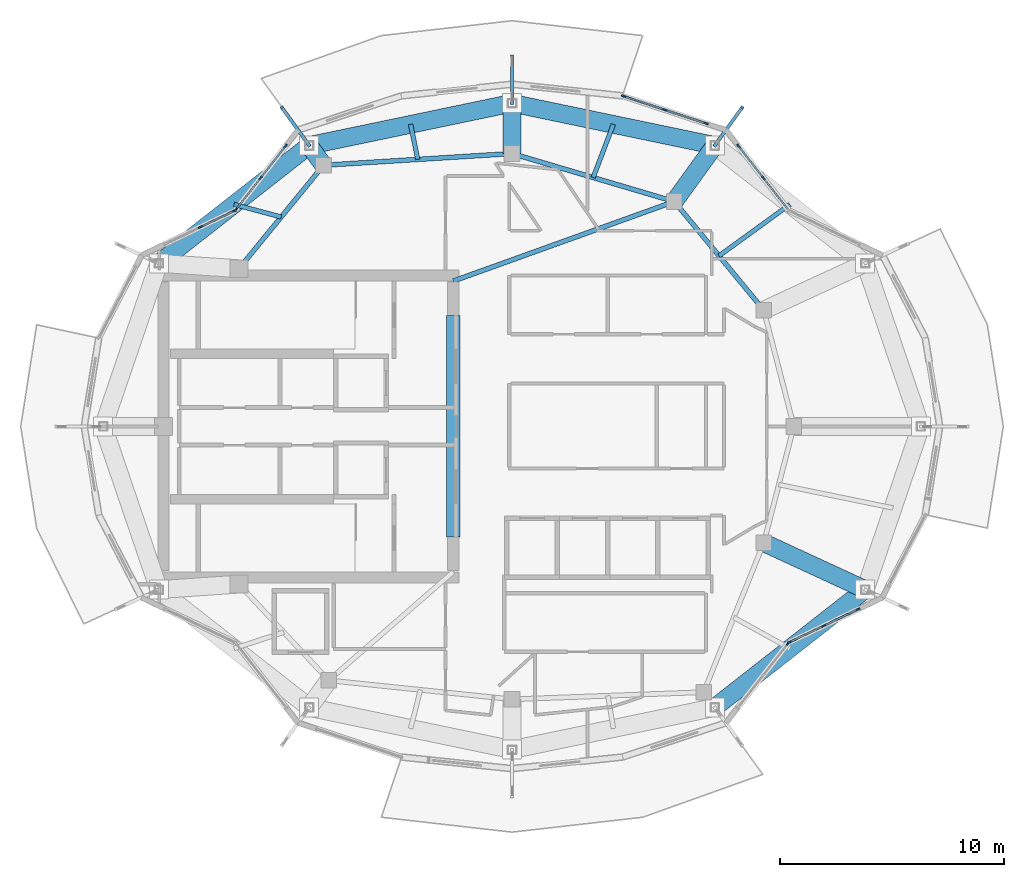
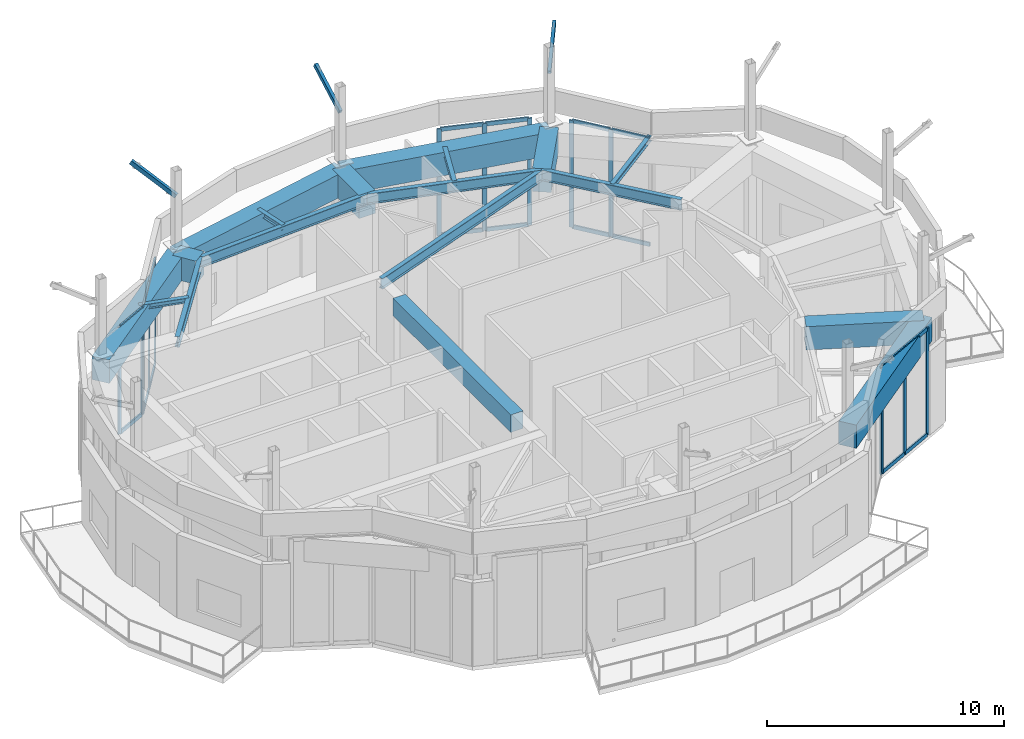
# One storey, part 3 of 13: 35 members, 18 beams, 6 elements without a shape of their own.
"""IFC4 building model written with IfcOpenShell, lengths in metres."""

from ifc_helpers import new_model, si_unit, direction, frame, origin, origin_2d, place, context, subcontext, project, spatial, rectangle, hollow_rectangle, i_section, extrude, material, layer, layer_set, material_profile, profile_set, type_object, element, aggregate, save


model = new_model("IFC4")

# Units and contexts
model_context = context("Model", 3, precision=1e-05, world=origin(), true_north=direction((0.0, 1.0)))
body_context = subcontext(model_context, "Body", "Model", "MODEL_VIEW")
ifc_project = project(units=[si_unit("LENGTHUNIT", "METRE"), si_unit("AREAUNIT", "SQUARE_METRE"), si_unit("VOLUMEUNIT", "CUBIC_METRE"), si_unit("PLANEANGLEUNIT", "RADIAN"), si_unit("MASSUNIT", "GRAM", prefix="KILO")], contexts=[model_context])

# Site, building, storey
site_placement = place(None, origin())
site = spatial("IfcSite", under=ifc_project, at=site_placement, CompositionType="ELEMENT")
building_placement = place(site_placement, origin())
building = spatial("IfcBuilding", under=site, at=building_placement, Name="Kolvaren Gate Tower and Convention Centre", CompositionType="ELEMENT")
storey_placement = place(building_placement, frame((0.0, 0.0, 281.60009765625)))
storey = spatial("IfcBuildingStorey", under=building, at=storey_placement, Name="L76", CompositionType="ELEMENT", Elevation=281.60009765625)

# Members
ifc_material_1 = material(Name="Architectural Painted Steel Canopy Framing ASTM A500 Grade C 345 MPa", Category="steel")
ifc_material_profile_1 = material_profile(ifc_material_1, hollow_rectangle(XDim=0.14990234375, YDim=0.219970703125, WallThickness=0.008056640625, at=origin_2d()), Name="ARCH-MEM-CANOPY-220")
ifc_profile_set_1 = profile_set([ifc_material_profile_1], Name="Architectural Painted Steel Canopy Framing ASTM A500 Grade C 345 MPa")
member_type_1 = type_object("IfcMemberType", Name="ARCH-MEM-CANOPY-220", PredefinedType="BRACE", material=ifc_profile_set_1)
for number, where, z_axis, x_axis, name in (
    (1, (39.190185546875, 39.560791015625, 8.2998046875), (0.511939530407, 0.709574838888, 0.484170904975), (-0.810967281895, 0.585091503695, 0.0), "Crown Lookout Canopy Outrigger Strut CN-03"),
    (2, (30.125, 41.449951171875, 8.2998046875), (0.0, 0.874971700299, 0.484174063407), (-1.0, 0.0, 0.0), "Crown Lookout Canopy Outrigger Strut CN-04"),
    (3, (21.059814453125, 39.560791015625, 8.2998046875), (-0.511939530407, 0.709574838888, 0.484170904975), (-0.810967281895, -0.585091503695, 0.0), "Crown Lookout Canopy Outrigger Strut CN-05"),
):
    element("IfcMember", number, at=place(storey_placement, frame(where, z_axis=z_axis, x_axis=x_axis)), inside=storey, type_object=member_type_1, Name=name, PredefinedType="BRACE", context=body_context, shape_type="SweptSolid", body=[
        extrude(hollow_rectangle(XDim=0.14990234375, YDim=0.219970703125, WallThickness=0.008056640625, at=origin_2d()), origin(), (0.0, 0.0, 1.0), 2.400146484375),
    ])

# Curtain wall, members
ifc_material_2 = material(Name="Anodized Architectural Aluminium Alloy 6063-T6", Category="aluminium")
ifc_layer = layer(ifc_material_2, 0.199951171875)
ifc_layer_set = layer_set([ifc_layer], Name="Anodized Architectural Aluminium Alloy 6063-T6")
curtain_wall_type = type_object("IfcCurtainWallType", Name="CW-SKY-GLZ", PredefinedType="NOTDEFINED", material=ifc_layer_set)
curtain_wall_1_placement = place(storey_placement, origin())
curtain_wall_1 = element("IfcCurtainWall", 4, at=curtain_wall_1_placement, inside=storey, type_object=curtain_wall_type, Name="L76 Panoramic Structural Curtain Wall CW-03", PredefinedType="NOTDEFINED")
ifc_material_profile_2 = material_profile(ifc_material_2, rectangle(XDim=0.074951171875, YDim=0.199951171875, at=origin_2d()), Name="CW-MEM-MUL-200")
ifc_profile_set_2 = profile_set([ifc_material_profile_2], Name="Anodized Architectural Aluminium Alloy 6063-T6")
member_type_2 = type_object("IfcMemberType", Name="CW-MEM-MUL-200", PredefinedType="MULLION", material=ifc_profile_set_2)
member_1_placement = place(storey_placement, frame((40.250732421875, 39.53076171875, 0.0), z_axis=(0.0, 0.0, 1.0), x_axis=(0.787412607866, 0.616426301332, 0.0)))
member_1 = element("IfcMember", 5, at=member_1_placement, type_object=member_type_2, Name="CW-05 mullion 1", PredefinedType="MULLION", context=body_context, shape_type="SweptSolid", body=[
    extrude(rectangle(XDim=0.074951171875, YDim=0.199951171875, at=origin_2d()), origin(), (0.0, 0.0, 1.0), 5.5),
])
member_2_placement = place(storey_placement, frame((41.36083984375, 38.112548828125, 0.0), z_axis=(0.0, 0.0, 1.0), x_axis=(0.787412607866, 0.616426301332, 0.0)))
member_2 = element("IfcMember", 6, at=member_2_placement, type_object=member_type_2, Name="CW-05 mullion 2", PredefinedType="MULLION", context=body_context, shape_type="SweptSolid", body=[
    extrude(rectangle(XDim=0.074951171875, YDim=0.199951171875, at=origin_2d()), origin(), (0.0, 0.0, 1.0), 5.5),
])

curtain_wall_2_placement = place(storey_placement, origin())
curtain_wall_2 = element("IfcCurtainWall", 7, at=curtain_wall_2_placement, inside=storey, type_object=curtain_wall_type, Name="L76 Panoramic Structural Curtain Wall CW-04", PredefinedType="NOTDEFINED")
member_3_placement = place(storey_placement, frame((35.110595703125, 41.766845703125, 0.0), z_axis=(0.0, 0.0, 1.0), x_axis=(0.314554728367, 0.949239339082, 0.0)))
member_3 = element("IfcMember", 8, at=member_3_placement, type_object=member_type_2, Name="CW-05 mullion 1", PredefinedType="MULLION", context=body_context, shape_type="SweptSolid", body=[
    extrude(rectangle(XDim=0.074951171875, YDim=0.199951171875, at=origin_2d()), origin(), (0.0, 0.0, 1.0), 5.5),
])
member_4_placement = place(storey_placement, frame((36.956298828125, 41.1552734375, 0.0), z_axis=(0.0, 0.0, 1.0), x_axis=(0.314554728367, 0.949239339082, 0.0)))
member_4 = element("IfcMember", 9, at=member_4_placement, type_object=member_type_2, Name="CW-05 mullion 2", PredefinedType="MULLION", context=body_context, shape_type="SweptSolid", body=[
    extrude(rectangle(XDim=0.074951171875, YDim=0.199951171875, at=origin_2d()), origin(), (0.0, 0.0, 1.0), 5.5),
])
member_5_placement = place(storey_placement, frame((38.802001953125, 40.543701171875, 0.0), z_axis=(0.0, 0.0, 1.0), x_axis=(0.314554728367, 0.949239339082, 0.0)))
member_5 = element("IfcMember", 10, at=member_5_placement, type_object=member_type_2, Name="CW-05 mullion 3", PredefinedType="MULLION", context=body_context, shape_type="SweptSolid", body=[
    extrude(rectangle(XDim=0.074951171875, YDim=0.199951171875, at=origin_2d()), origin(), (0.0, 0.0, 1.0), 5.5),
])

curtain_wall_3_placement = place(storey_placement, origin())
curtain_wall_3 = element("IfcCurtainWall", 11, at=curtain_wall_3_placement, inside=storey, type_object=curtain_wall_type, Name="L76 Panoramic Structural Curtain Wall CW-08", PredefinedType="NOTDEFINED")
member_6_placement = place(storey_placement, frame((17.77880859375, 36.6943359375, 0.0), z_axis=(0.0, 0.0, 1.0), x_axis=(-0.787410873286, 0.616428517049, 0.0)))
member_6 = element("IfcMember", 12, at=member_6_placement, type_object=member_type_2, Name="CW-05 mullion 1", PredefinedType="MULLION", context=body_context, shape_type="SweptSolid", body=[
    extrude(rectangle(XDim=0.074951171875, YDim=0.199951171875, at=origin_2d()), origin(), (0.0, 0.0, 1.0), 5.5),
])
member_7_placement = place(storey_placement, frame((18.888916015625, 38.1123046875, 0.0), z_axis=(0.0, 0.0, 1.0), x_axis=(-0.787410873286, 0.616428517049, 0.0)))
member_7 = element("IfcMember", 13, at=member_7_placement, type_object=member_type_2, Name="CW-05 mullion 2", PredefinedType="MULLION", context=body_context, shape_type="SweptSolid", body=[
    extrude(rectangle(XDim=0.074951171875, YDim=0.199951171875, at=origin_2d()), origin(), (0.0, 0.0, 1.0), 5.5),
])
member_8_placement = place(storey_placement, frame((19.9990234375, 39.530517578125, 0.0), z_axis=(0.0, 0.0, 1.0), x_axis=(-0.787410873286, 0.616428517049, 0.0)))
member_8 = element("IfcMember", 14, at=member_8_placement, type_object=member_type_2, Name="CW-05 mullion 3", PredefinedType="MULLION", context=body_context, shape_type="SweptSolid", body=[
    extrude(rectangle(XDim=0.074951171875, YDim=0.199951171875, at=origin_2d()), origin(), (0.0, 0.0, 1.0), 5.5),
])

curtain_wall_4_placement = place(storey_placement, origin())
curtain_wall_4 = element("IfcCurtainWall", 15, at=curtain_wall_4_placement, inside=storey, type_object=curtain_wall_type, Name="L76 Panoramic Structural Curtain Wall CW-09", PredefinedType="NOTDEFINED")
member_9_placement = place(storey_placement, frame((16.191162109375, 35.9130859375, 0.0), z_axis=(0.0, 0.0, 1.0), x_axis=(-0.433053218498, 0.901368354197, 0.0)))
member_9 = element("IfcMember", 16, at=member_9_placement, type_object=member_type_2, Name="CW-05 mullion 2", PredefinedType="MULLION", context=body_context, shape_type="SweptSolid", body=[
    extrude(rectangle(XDim=0.074951171875, YDim=0.199951171875, at=origin_2d()), origin(), (0.0, 0.0, 1.0), 5.5),
])
member_10_placement = place(storey_placement, frame((17.7216796875, 36.6484375, 0.0), z_axis=(0.0, 0.0, 1.0), x_axis=(-0.433053218498, 0.901368354197, 0.0)))
member_10 = element("IfcMember", 17, at=member_10_placement, type_object=member_type_2, Name="CW-05 mullion 3", PredefinedType="MULLION", context=body_context, shape_type="SweptSolid", body=[
    extrude(rectangle(XDim=0.074951171875, YDim=0.199951171875, at=origin_2d()), origin(), (0.0, 0.0, 1.0), 5.5),
])

# Curtain wall, member
curtain_wall_5_placement = place(storey_placement, origin())
curtain_wall_5 = element("IfcCurtainWall", 18, at=curtain_wall_5_placement, inside=storey, type_object=curtain_wall_type, Name="L76 Panoramic Structural Curtain Wall CW-20", PredefinedType="NOTDEFINED")
member_11_placement = place(storey_placement, frame((42.47119140625, 17.3056640625, 0.0), z_axis=(0.0, 0.0, 1.0), x_axis=(-0.787412607866, 0.616426301332, 0.0)))
member_11 = element("IfcMember", 19, at=member_11_placement, type_object=member_type_2, Name="CW-05 mullion 3", PredefinedType="MULLION", context=body_context, shape_type="SweptSolid", body=[
    extrude(rectangle(XDim=0.074951171875, YDim=0.199951171875, at=origin_2d()), origin(), (0.0, 0.0, 1.0), 5.5),
])
aggregate(curtain_wall_5, [member_11])

# Curtain wall, members
curtain_wall_6_placement = place(storey_placement, origin())
curtain_wall_6 = element("IfcCurtainWall", 20, at=curtain_wall_6_placement, inside=storey, type_object=curtain_wall_type, Name="L76 Panoramic Structural Curtain Wall CW-21", PredefinedType="NOTDEFINED")
member_12_placement = place(storey_placement, frame((42.5283203125, 17.3515625, 0.0), z_axis=(0.0, 0.0, 1.0), x_axis=(-0.433075709979, 0.90135754805, 0.0)))
member_12 = element("IfcMember", 21, at=member_12_placement, type_object=member_type_2, Name="CW-05 mullion 1", PredefinedType="MULLION", context=body_context, shape_type="SweptSolid", body=[
    extrude(rectangle(XDim=0.074951171875, YDim=0.199951171875, at=origin_2d()), origin(), (0.0, 0.0, 1.0), 5.5),
])
member_13_placement = place(storey_placement, frame((44.05859375, 18.0869140625, 0.0), z_axis=(0.0, 0.0, 1.0), x_axis=(-0.433075709979, 0.90135754805, 0.0)))
member_13 = element("IfcMember", 22, at=member_13_placement, type_object=member_type_2, Name="CW-05 mullion 2", PredefinedType="MULLION", context=body_context, shape_type="SweptSolid", body=[
    extrude(rectangle(XDim=0.074951171875, YDim=0.199951171875, at=origin_2d()), origin(), (0.0, 0.0, 1.0), 5.5),
])
member_14_placement = place(storey_placement, frame((45.589111328125, 18.822265625, 0.0), z_axis=(0.0, 0.0, 1.0), x_axis=(-0.433075709979, 0.90135754805, 0.0)))
member_14 = element("IfcMember", 23, at=member_14_placement, type_object=member_type_2, Name="CW-05 mullion 3", PredefinedType="MULLION", context=body_context, shape_type="SweptSolid", body=[
    extrude(rectangle(XDim=0.074951171875, YDim=0.199951171875, at=origin_2d()), origin(), (0.0, 0.0, 1.0), 5.5),
])

# Member
ifc_material_profile_3 = material_profile(ifc_material_2, rectangle(XDim=0.074951171875, YDim=0.199951171875, at=origin_2d()), Name="CW-MEM-TRN-200")
ifc_profile_set_3 = profile_set([ifc_material_profile_3], Name="Anodized Architectural Aluminium Alloy 6063-T6")
member_type_3 = type_object("IfcMemberType", Name="CW-MEM-TRN-200", PredefinedType="USERDEFINED", material=ifc_profile_set_3)
member_15_placement = place(storey_placement, frame((40.273681640625, 39.50146484375, 0.037353515625), z_axis=(0.616434086202, -0.787406513415, 0.0), x_axis=(0.787406513415, 0.616434086202, 0.0)))
member_15 = element("IfcMember", 24, at=member_15_placement, type_object=member_type_3, Name="CW-05 transom 1.1", ObjectType="TRANSOM", PredefinedType="USERDEFINED", context=body_context, shape_type="SweptSolid", body=[
    extrude(rectangle(XDim=0.074951171875, YDim=0.199951171875, at=origin_2d()), origin(), (0.0, 0.0, 1.0), 1.726318359375),
])

member_16_placement = place(storey_placement, frame((40.273681640625, 39.50146484375, 5.46240234375), z_axis=(0.616434086202, -0.787406513415, 0.0), x_axis=(0.787406513415, 0.616434086202, 0.0)))
member_16 = element("IfcMember", 25, at=member_16_placement, type_object=member_type_3, Name="CW-05 transom 1.2", ObjectType="TRANSOM", PredefinedType="USERDEFINED", context=body_context, shape_type="SweptSolid", body=[
    extrude(rectangle(XDim=0.074951171875, YDim=0.199951171875, at=origin_2d()), origin(), (0.0, 0.0, 1.0), 1.726318359375),
])

member_17_placement = place(storey_placement, frame((41.384033203125, 38.0830078125, 0.037353515625), z_axis=(0.616502732792, -0.787352767481, 0.0), x_axis=(0.787352767481, 0.616502732792, 0.0)))
member_17 = element("IfcMember", 26, at=member_17_placement, type_object=member_type_3, Name="CW-05 transom 2.1", ObjectType="TRANSOM", PredefinedType="USERDEFINED", context=body_context, shape_type="SweptSolid", body=[
    extrude(rectangle(XDim=0.074951171875, YDim=0.199951171875, at=origin_2d()), origin(), (0.0, 0.0, 1.0), 1.726318359375),
])

member_18_placement = place(storey_placement, frame((41.384033203125, 38.0830078125, 5.46240234375), z_axis=(0.616502732792, -0.787352767481, 0.0), x_axis=(0.787352767481, 0.616502732792, 0.0)))
member_18 = element("IfcMember", 27, at=member_18_placement, type_object=member_type_3, Name="CW-05 transom 2.2", ObjectType="TRANSOM", PredefinedType="USERDEFINED", context=body_context, shape_type="SweptSolid", body=[
    extrude(rectangle(XDim=0.074951171875, YDim=0.199951171875, at=origin_2d()), origin(), (0.0, 0.0, 1.0), 1.726318359375),
])

aggregate(curtain_wall_1, [member_1, member_2, member_15, member_16, member_17, member_18])

member_19_placement = place(storey_placement, frame((35.14599609375, 41.755126953125, 0.037353515625), z_axis=(0.949230332785, -0.314581905583, 0.0), x_axis=(0.314581905583, 0.949230332785, 0.0)))
member_19 = element("IfcMember", 28, at=member_19_placement, type_object=member_type_3, Name="CW-05 transom 1.1", ObjectType="TRANSOM", PredefinedType="USERDEFINED", context=body_context, shape_type="SweptSolid", body=[
    extrude(rectangle(XDim=0.074951171875, YDim=0.199951171875, at=origin_2d()), origin(), (0.0, 0.0, 1.0), 1.86962890625),
])

member_20_placement = place(storey_placement, frame((35.14599609375, 41.755126953125, 5.46240234375), z_axis=(0.949230332785, -0.314581905583, 0.0), x_axis=(0.314581905583, 0.949230332785, 0.0)))
member_20 = element("IfcMember", 29, at=member_20_placement, type_object=member_type_3, Name="CW-05 transom 1.2", ObjectType="TRANSOM", PredefinedType="USERDEFINED", context=body_context, shape_type="SweptSolid", body=[
    extrude(rectangle(XDim=0.074951171875, YDim=0.199951171875, at=origin_2d()), origin(), (0.0, 0.0, 1.0), 1.86962890625),
])

member_21_placement = place(storey_placement, frame((36.991943359375, 41.1435546875, 0.037353515625), z_axis=(0.949230332785, -0.314581905583, 0.0), x_axis=(0.314581905583, 0.949230332785, 0.0)))
member_21 = element("IfcMember", 30, at=member_21_placement, type_object=member_type_3, Name="CW-05 transom 2.1", ObjectType="TRANSOM", PredefinedType="USERDEFINED", context=body_context, shape_type="SweptSolid", body=[
    extrude(rectangle(XDim=0.074951171875, YDim=0.199951171875, at=origin_2d()), origin(), (0.0, 0.0, 1.0), 1.86962890625),
])

member_22_placement = place(storey_placement, frame((36.991943359375, 41.1435546875, 5.46240234375), z_axis=(0.949230332785, -0.314581905583, 0.0), x_axis=(0.314581905583, 0.949230332785, 0.0)))
member_22 = element("IfcMember", 31, at=member_22_placement, type_object=member_type_3, Name="CW-05 transom 2.2", ObjectType="TRANSOM", PredefinedType="USERDEFINED", context=body_context, shape_type="SweptSolid", body=[
    extrude(rectangle(XDim=0.074951171875, YDim=0.199951171875, at=origin_2d()), origin(), (0.0, 0.0, 1.0), 1.86962890625),
])

aggregate(curtain_wall_2, [member_3, member_4, member_5, member_19, member_20, member_21, member_22])

member_23_placement = place(storey_placement, frame((17.8017578125, 36.723876953125, 0.037353515625), z_axis=(0.616483703487, 0.787367667189, 0.0), x_axis=(-0.787367667189, 0.616483703487, 0.0)))
member_23 = element("IfcMember", 32, at=member_23_placement, type_object=member_type_3, Name="CW-05 transom 1.1", ObjectType="TRANSOM", PredefinedType="USERDEFINED", context=body_context, shape_type="SweptSolid", body=[
    extrude(rectangle(XDim=0.074951171875, YDim=0.199951171875, at=origin_2d()), origin(), (0.0, 0.0, 1.0), 1.725830078125),
])

member_24_placement = place(storey_placement, frame((17.8017578125, 36.723876953125, 5.46240234375), z_axis=(0.616483703487, 0.787367667189, 0.0), x_axis=(-0.787367667189, 0.616483703487, 0.0)))
member_24 = element("IfcMember", 33, at=member_24_placement, type_object=member_type_3, Name="CW-05 transom 1.2", ObjectType="TRANSOM", PredefinedType="USERDEFINED", context=body_context, shape_type="SweptSolid", body=[
    extrude(rectangle(XDim=0.074951171875, YDim=0.199951171875, at=origin_2d()), origin(), (0.0, 0.0, 1.0), 1.725830078125),
])

member_25_placement = place(storey_placement, frame((18.912109375, 38.141845703125, 0.037353515625), z_axis=(0.616415044087, 0.787421420475, 0.0), x_axis=(-0.787421420475, 0.616415044087, 0.0)))
member_25 = element("IfcMember", 34, at=member_25_placement, type_object=member_type_3, Name="CW-05 transom 2.1", ObjectType="TRANSOM", PredefinedType="USERDEFINED", context=body_context, shape_type="SweptSolid", body=[
    extrude(rectangle(XDim=0.074951171875, YDim=0.199951171875, at=origin_2d()), origin(), (0.0, 0.0, 1.0), 1.72607421875),
])

member_26_placement = place(storey_placement, frame((18.912109375, 38.141845703125, 5.46240234375), z_axis=(0.616415044087, 0.787421420475, 0.0), x_axis=(-0.787421420475, 0.616415044087, 0.0)))
member_26 = element("IfcMember", 35, at=member_26_placement, type_object=member_type_3, Name="CW-05 transom 2.2", ObjectType="TRANSOM", PredefinedType="USERDEFINED", context=body_context, shape_type="SweptSolid", body=[
    extrude(rectangle(XDim=0.074951171875, YDim=0.199951171875, at=origin_2d()), origin(), (0.0, 0.0, 1.0), 1.72607421875),
])

aggregate(curtain_wall_3, [member_6, member_7, member_8, member_23, member_24, member_25, member_26])

member_27_placement = place(storey_placement, frame((16.22509765625, 35.929443359375, 0.037353515625), z_axis=(0.901356328078, 0.433078249088, 0.0), x_axis=(-0.433078249088, 0.901356328078, 0.0)))
member_27 = element("IfcMember", 36, at=member_27_placement, type_object=member_type_3, Name="CW-05 transom 2.1", ObjectType="TRANSOM", PredefinedType="USERDEFINED", context=body_context, shape_type="SweptSolid", body=[
    extrude(rectangle(XDim=0.074951171875, YDim=0.199951171875, at=origin_2d()), origin(), (0.0, 0.0, 1.0), 1.623046875),
])

member_28_placement = place(storey_placement, frame((16.22509765625, 35.929443359375, 5.46240234375), z_axis=(0.901356328078, 0.433078249088, 0.0), x_axis=(-0.433078249088, 0.901356328078, 0.0)))
member_28 = element("IfcMember", 37, at=member_28_placement, type_object=member_type_3, Name="CW-05 transom 2.2", ObjectType="TRANSOM", PredefinedType="USERDEFINED", context=body_context, shape_type="SweptSolid", body=[
    extrude(rectangle(XDim=0.074951171875, YDim=0.199951171875, at=origin_2d()), origin(), (0.0, 0.0, 1.0), 1.623046875),
])

aggregate(curtain_wall_4, [member_9, member_10, member_27, member_28])

member_29_placement = place(storey_placement, frame((42.56201171875, 17.36767578125, 0.037353515625), z_axis=(0.901356328078, 0.433078249088, 0.0), x_axis=(-0.433078249088, 0.901356328078, 0.0)))
member_29 = element("IfcMember", 38, at=member_29_placement, type_object=member_type_3, Name="CW-05 transom 1.1", ObjectType="TRANSOM", PredefinedType="USERDEFINED", context=body_context, shape_type="SweptSolid", body=[
    extrude(rectangle(XDim=0.074951171875, YDim=0.199951171875, at=origin_2d()), origin(), (0.0, 0.0, 1.0), 1.623046875),
])

member_30_placement = place(storey_placement, frame((42.56201171875, 17.36767578125, 5.46240234375), z_axis=(0.901356328078, 0.433078249088, 0.0), x_axis=(-0.433078249088, 0.901356328078, 0.0)))
member_30 = element("IfcMember", 39, at=member_30_placement, type_object=member_type_3, Name="CW-05 transom 1.2", ObjectType="TRANSOM", PredefinedType="USERDEFINED", context=body_context, shape_type="SweptSolid", body=[
    extrude(rectangle(XDim=0.074951171875, YDim=0.199951171875, at=origin_2d()), origin(), (0.0, 0.0, 1.0), 1.623046875),
])

member_31_placement = place(storey_placement, frame((44.092529296875, 18.10302734375, 0.037353515625), z_axis=(0.901356328078, 0.433078249088, 0.0), x_axis=(-0.433078249088, 0.901356328078, 0.0)))
member_31 = element("IfcMember", 40, at=member_31_placement, type_object=member_type_3, Name="CW-05 transom 2.1", ObjectType="TRANSOM", PredefinedType="USERDEFINED", context=body_context, shape_type="SweptSolid", body=[
    extrude(rectangle(XDim=0.074951171875, YDim=0.199951171875, at=origin_2d()), origin(), (0.0, 0.0, 1.0), 1.623046875),
])

member_32_placement = place(storey_placement, frame((44.092529296875, 18.10302734375, 5.46240234375), z_axis=(0.901356328078, 0.433078249088, 0.0), x_axis=(-0.433078249088, 0.901356328078, 0.0)))
member_32 = element("IfcMember", 41, at=member_32_placement, type_object=member_type_3, Name="CW-05 transom 2.2", ObjectType="TRANSOM", PredefinedType="USERDEFINED", context=body_context, shape_type="SweptSolid", body=[
    extrude(rectangle(XDim=0.074951171875, YDim=0.199951171875, at=origin_2d()), origin(), (0.0, 0.0, 1.0), 1.623046875),
])

aggregate(curtain_wall_6, [member_12, member_13, member_14, member_29, member_30, member_31, member_32])

# Beams
ifc_material_3 = material(Name="Structural steel ASTM A992 Grade 345 MPa", Category="steel")
ifc_material_profile_4 = material_profile(ifc_material_3, i_section(OverallWidth=0.2119140625, OverallDepth=0.5439453125, WebThickness=0.01318359375, FlangeThickness=0.021240234375, at=origin_2d()), Name="W530X123")
ifc_profile_set_4 = profile_set([ifc_material_profile_4], Name="Structural steel ASTM A992 Grade 345 MPa")
beam_type_1 = type_object("IfcBeamType", Name="STR-BM-W530X123", PredefinedType="BEAM", material=ifc_profile_set_4)
beam_1_placement = place(storey_placement, frame((41.382080078125, 32.199462890625, 5.227783203125), z_axis=(-0.635884066011, 0.771784590798, 0.0), x_axis=(-0.771784590798, -0.635884066011, 0.0)))
element("IfcBeam", 42, at=beam_1_placement, inside=storey, type_object=beam_type_1, Name="Tower L76 Primary Ring Girder G-02", PredefinedType="BEAM", context=body_context, shape_type="SweptSolid", body=[
    extrude(i_section(OverallWidth=0.2119140625, OverallDepth=0.5439453125, WebThickness=0.01318359375, FlangeThickness=0.021240234375, at=origin_2d()), origin(), (0.0, 0.0, 1.0), 6.291259765625),
])
beam_2_placement = place(storey_placement, frame((37.381591796875, 37.054931640625, 5.227783203125), z_axis=(-0.958980837827, 0.283470902706, 0.0), x_axis=(-0.283470902706, -0.958980837827, 0.0)))
element("IfcBeam", 43, at=beam_2_placement, inside=storey, type_object=beam_type_1, Name="Tower L76 Primary Ring Girder G-03", PredefinedType="BEAM", context=body_context, shape_type="SweptSolid", body=[
    extrude(i_section(OverallWidth=0.2119140625, OverallDepth=0.5439453125, WebThickness=0.01318359375, FlangeThickness=0.021240234375, at=origin_2d()), origin(), (0.0, 0.0, 1.0), 7.56689453125),
])
beam_3_placement = place(storey_placement, frame((30.125, 39.199951171875, 5.227783203125), z_axis=(-0.998078258568, -0.06196603726, 0.0), x_axis=(0.06196603726, -0.998078258568, 0.0)))
element("IfcBeam", 44, at=beam_3_placement, inside=storey, type_object=beam_type_1, Name="Tower L76 Primary Ring Girder G-04", PredefinedType="BEAM", context=body_context, shape_type="SweptSolid", body=[
    extrude(i_section(OverallWidth=0.2119140625, OverallDepth=0.5439453125, WebThickness=0.01318359375, FlangeThickness=0.021240234375, at=origin_2d()), origin(), (0.0, 0.0, 1.0), 8.443115234375),
])
beam_4_placement = place(storey_placement, frame((21.697998046875, 38.6767578125, 5.227783203125), z_axis=(-0.633082074904, -0.774084676528, 0.0), x_axis=(0.774084676528, -0.633082074904, 0.0)))
element("IfcBeam", 45, at=beam_4_placement, inside=storey, type_object=beam_type_1, Name="Tower L76 Primary Ring Girder G-05", PredefinedType="BEAM", context=body_context, shape_type="SweptSolid", body=[
    extrude(i_section(OverallWidth=0.2119140625, OverallDepth=0.5439453125, WebThickness=0.01318359375, FlangeThickness=0.021240234375, at=origin_2d()), origin(), (0.0, 0.0, 1.0), 5.97705078125),
])
beam_5_placement = place(storey_placement, frame((27.5, 33.5, 5.227783203125), z_axis=(0.940961479908, 0.338513653093, 0.0), x_axis=(-0.338513653093, 0.940961479908, 0.0)))
element("IfcBeam", 46, at=beam_5_placement, inside=storey, type_object=beam_type_1, Name="Tower L76 Primary Ring Girder G-10", PredefinedType="BEAM", context=body_context, shape_type="SweptSolid", body=[
    extrude(i_section(OverallWidth=0.2119140625, OverallDepth=0.5439453125, WebThickness=0.01318359375, FlangeThickness=0.021240234375, at=origin_2d()), origin(), (0.0, 0.0, 1.0), 10.501708984375),
])
ifc_material_profile_5 = material_profile(ifc_material_3, i_section(OverallWidth=0.202880859375, OverallDepth=0.251953125, WebThickness=0.008056640625, FlangeThickness=0.013427734375, at=origin_2d()), Name="W250X58")
ifc_profile_set_5 = profile_set([ifc_material_profile_5], Name="Structural steel ASTM A992 Grade 345 MPa")
beam_type_2 = type_object("IfcBeamType", Name="STR-JS-W250X58", PredefinedType="JOIST", material=ifc_profile_set_5)
beam_6_placement = place(storey_placement, frame((39.3818359375, 34.627197265625, 5.3740234375), z_axis=(0.809492703232, 0.58712993742, 0.0), x_axis=(-0.58712993742, 0.809492703232, 0.0)))
element("IfcBeam", 47, at=beam_6_placement, inside=storey, type_object=beam_type_2, Name="Tower L76 Secondary Composite Floor Joist J-02.1", PredefinedType="JOIST", context=body_context, shape_type="SweptSolid", body=[
    extrude(i_section(OverallWidth=0.202880859375, OverallDepth=0.251953125, WebThickness=0.008056640625, FlangeThickness=0.013427734375, at=origin_2d()), origin(), (0.0, 0.0, 1.0), 3.91748046875),
])
beam_7_placement = place(storey_placement, frame((33.75341796875, 38.12744140625, 5.3740234375), z_axis=(0.355452545493, 0.934694328592, 0.0), x_axis=(-0.934694328592, 0.355452545493, 0.0)))
element("IfcBeam", 48, at=beam_7_placement, inside=storey, type_object=beam_type_2, Name="Tower L76 Secondary Composite Floor Joist J-03.1", PredefinedType="JOIST", context=body_context, shape_type="SweptSolid", body=[
    extrude(i_section(OverallWidth=0.202880859375, OverallDepth=0.251953125, WebThickness=0.008056640625, FlangeThickness=0.013427734375, at=origin_2d()), origin(), (0.0, 0.0, 1.0), 2.544189453125),
])
beam_8_placement = place(storey_placement, frame((25.91162109375, 38.938232421875, 5.3740234375), z_axis=(-0.199666909126, 0.97986383003, 0.0), x_axis=(-0.97986383003, -0.199666909126, 0.0)))
element("IfcBeam", 49, at=beam_8_placement, inside=storey, type_object=beam_type_2, Name="Tower L76 Secondary Composite Floor Joist J-04.1", PredefinedType="JOIST", context=body_context, shape_type="SweptSolid", body=[
    extrude(i_section(OverallWidth=0.202880859375, OverallDepth=0.251953125, WebThickness=0.008056640625, FlangeThickness=0.013427734375, at=origin_2d()), origin(), (0.0, 0.0, 1.0), 1.599365234375),
])
beam_9_placement = place(storey_placement, frame((19.805908203125, 36.36328125, 5.3740234375), z_axis=(-0.966052788752, 0.258344749018, 0.0), x_axis=(-0.258344749018, -0.966052788752, 0.0)))
element("IfcBeam", 50, at=beam_9_placement, inside=storey, type_object=beam_type_2, Name="Tower L76 Secondary Composite Floor Joist J-05.1", PredefinedType="JOIST", context=body_context, shape_type="SweptSolid", body=[
    extrude(i_section(OverallWidth=0.202880859375, OverallDepth=0.251953125, WebThickness=0.008056640625, FlangeThickness=0.013427734375, at=origin_2d()), origin(), (0.0, 0.0, 1.0), 2.18310546875),
])
ifc_material_4 = material(Name="Concrete C60/75", Category="concrete")
ifc_material_profile_6 = material_profile(ifc_material_4, rectangle(XDim=0.60009765625, YDim=0.89990234375, at=origin_2d()), Name="RC-BM-600X900")
ifc_profile_set_6 = profile_set([ifc_material_profile_6], Name="Concrete C60/75")
beam_type_3 = type_object("IfcBeamType", Name="STR-LN-RC600X900", PredefinedType="LINTEL", material=ifc_profile_set_6)
beam_10_placement = place(storey_placement, frame((27.5, 22.050048828125, 5.0498046875), z_axis=(0.0, 1.0, 0.0), x_axis=(-1.0, 0.0, 0.0)))
element("IfcBeam", 51, at=beam_10_placement, inside=storey, type_object=beam_type_3, Name="Tower L76 Core Ductile Coupling Beam CB-01", PredefinedType="LINTEL", context=body_context, shape_type="SweptSolid", body=[
    extrude(rectangle(XDim=0.60009765625, YDim=0.89990234375, at=origin_2d()), origin(), (0.0, 0.0, 1.0), 9.89990234375),
])
ifc_material_5 = material(Name="Concrete C70/85", Category="concrete")
ifc_material_profile_7 = material_profile(ifc_material_5, rectangle(XDim=0.800048828125, YDim=1.199951171875, at=origin_2d()), Name="RC-BM-800X1200")
ifc_profile_set_7 = profile_set([ifc_material_profile_7], Name="Concrete C70/85")
beam_type_4 = type_object("IfcBeamType", Name="STR-TG-RC800X1200", PredefinedType="USERDEFINED", material=ifc_profile_set_7)
for number, where, z_axis, x_axis, name in (
    (52, (39.190185546875, 39.560791015625, 4.89990234375), (-0.978967915245, 0.204014266466, 0.0), (-0.204014266466, -0.978967915245, 0.0), "Tower L76 Perimeter Spandrel Beam SP-03"),
    (53, (30.125, 41.449951171875, 4.89990234375), (-0.978967915245, -0.204014266466, 0.0), (0.204014266466, -0.978967915245, 0.0), "Tower L76 Perimeter Spandrel Beam SP-04"),
):
    element("IfcBeam", number, at=place(storey_placement, frame(where, z_axis=z_axis, x_axis=x_axis)), inside=storey, type_object=beam_type_4, Name=name, ObjectType="TRANSFER GIRDER", PredefinedType="USERDEFINED", context=body_context, shape_type="SweptSolid", body=[
        extrude(rectangle(XDim=0.800048828125, YDim=1.199951171875, at=origin_2d()), origin(), (0.0, 0.0, 1.0), 9.260009765625),
    ])
for number, where, z_axis, x_axis, name in (
    (54, (21.059814453125, 39.560791015625, 4.89990234375), (-0.787311981436, -0.616554818233, 0.0), (0.616554818233, -0.787311981436, 0.0), "Tower L76 Perimeter Spandrel Beam SP-05"),
    (55, (39.190185546875, 14.439208984375, 4.89990234375), (0.787311981436, 0.616554818233, 0.0), (-0.616554818233, 0.787311981436, 0.0), "Tower L76 Perimeter Spandrel Beam SP-11"),
):
    element("IfcBeam", number, at=place(storey_placement, frame(where, z_axis=z_axis, x_axis=x_axis)), inside=storey, type_object=beam_type_4, Name=name, ObjectType="TRANSFER GIRDER", PredefinedType="USERDEFINED", context=body_context, shape_type="SweptSolid", body=[
        extrude(rectangle(XDim=0.800048828125, YDim=1.199951171875, at=origin_2d()), origin(), (0.0, 0.0, 1.0), 8.542724609375),
    ])
beam_11_placement = place(storey_placement, frame((37.381591796875, 37.054931640625, 4.900390625), z_axis=(0.58523669755, 0.810862508592, 0.0), x_axis=(-0.810862508592, 0.58523669755, 0.0)))
element("IfcBeam", 56, at=beam_11_placement, inside=storey, type_object=beam_type_4, Name="Tower L76 Zone-Transition Radial Transfer Girder XFG-03", ObjectType="TRANSFER GIRDER", PredefinedType="USERDEFINED", context=body_context, shape_type="SweptSolid", body=[
    extrude(rectangle(XDim=0.800048828125, YDim=1.199951171875, at=origin_2d()), origin(), (0.0, 0.0, 1.0), 3.09033203125),
])
beam_12_placement = place(storey_placement, frame((30.125, 39.199951171875, 4.900390625), z_axis=(0.0, 1.0, 0.0), x_axis=(-1.0, 0.0, 0.0)))
element("IfcBeam", 57, at=beam_12_placement, inside=storey, type_object=beam_type_4, Name="Tower L76 Zone-Transition Radial Transfer Girder XFG-04", ObjectType="TRANSFER GIRDER", PredefinedType="USERDEFINED", context=body_context, shape_type="SweptSolid", body=[
    extrude(rectangle(XDim=0.800048828125, YDim=1.199951171875, at=origin_2d()), origin(), (0.0, 0.0, 1.0), 2.25),
])
beam_13_placement = place(storey_placement, frame((21.697998046875, 38.6767578125, 4.900390625), z_axis=(-0.585318855928, 0.810803204788, 0.0), x_axis=(-0.810803204788, -0.585318855928, 0.0)))
element("IfcBeam", 58, at=beam_13_placement, inside=storey, type_object=beam_type_4, Name="Tower L76 Zone-Transition Radial Transfer Girder XFG-05", ObjectType="TRANSFER GIRDER", PredefinedType="USERDEFINED", context=body_context, shape_type="SweptSolid", body=[
    extrude(rectangle(XDim=0.800048828125, YDim=1.199951171875, at=origin_2d()), origin(), (0.0, 0.0, 1.0), 1.09033203125),
])
beam_14_placement = place(storey_placement, frame((41.382080078125, 21.800537109375, 4.900390625), z_axis=(0.907833436209, -0.419330957719, 0.0), x_axis=(0.419330957719, 0.907833436209, 0.0)))
element("IfcBeam", 59, at=beam_14_placement, inside=storey, type_object=beam_type_4, Name="Tower L76 Zone-Transition Radial Transfer Girder XFG-12", ObjectType="TRANSFER GIRDER", PredefinedType="USERDEFINED", context=body_context, shape_type="SweptSolid", body=[
    extrude(rectangle(XDim=0.800048828125, YDim=1.199951171875, at=origin_2d()), origin(), (0.0, 0.0, 1.0), 4.994140625),
])

save(model, "model.ifc")
